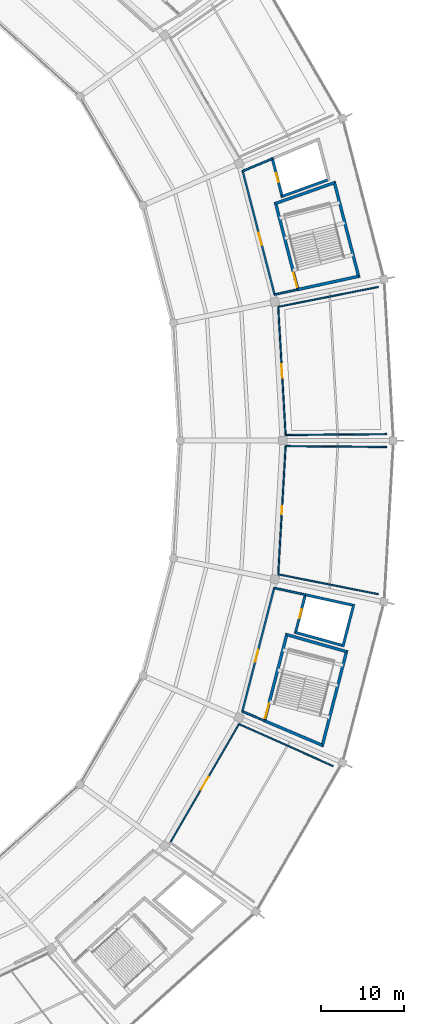
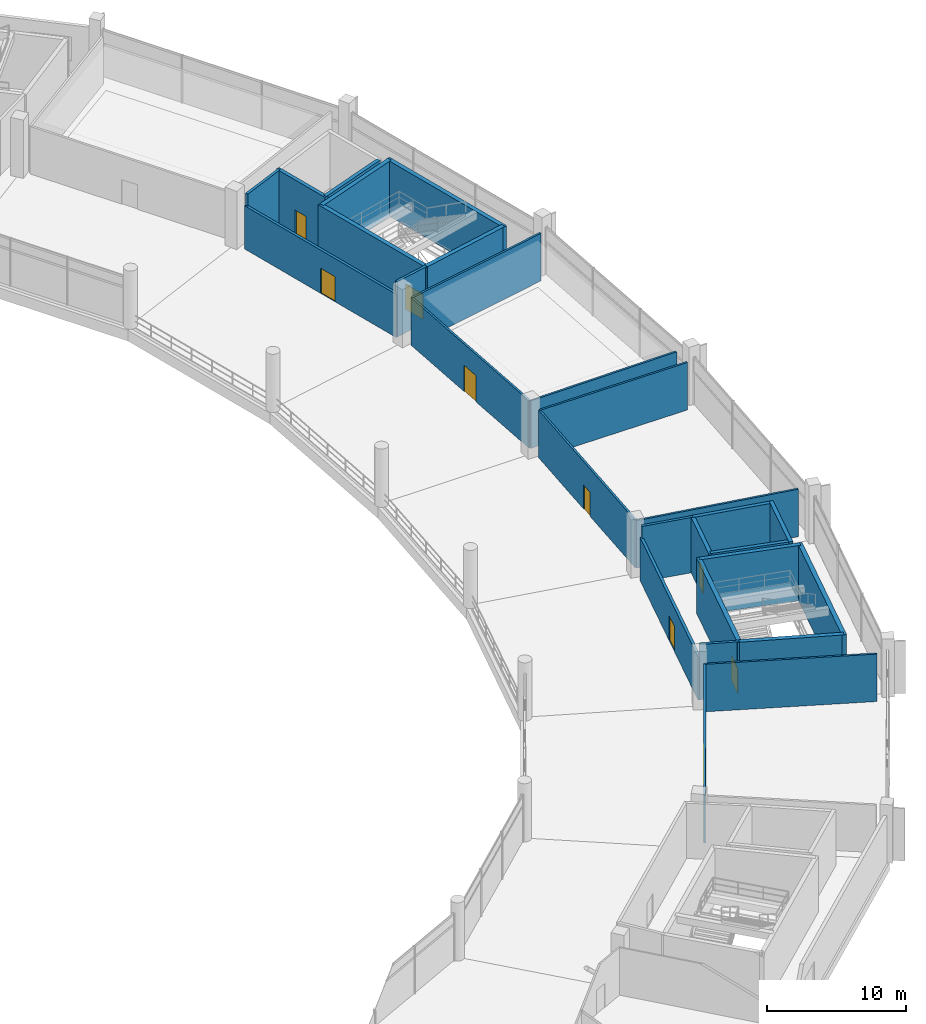
# One storey, part 148 of 184: 28 walls, 9 doors, 9 openings.
"""IFC4 building model written with IfcOpenShell, lengths in metres."""

from ifc_helpers import new_model, si_unit, direction, frame, frame_2d, origin, place, context, subcontext, project, spatial, rectangle, extrude, material, layer, layer_set, type_object, element, fill, save


model = new_model("IFC4")

# Units and contexts
model_context = context("Model", 3, precision=1e-05, world=origin(), true_north=direction((0.0, 1.0)))
body_context = subcontext(model_context, "Body", "Model", "MODEL_VIEW")
ifc_project = project(units=[si_unit("LENGTHUNIT", "METRE"), si_unit("AREAUNIT", "SQUARE_METRE"), si_unit("VOLUMEUNIT", "CUBIC_METRE"), si_unit("PLANEANGLEUNIT", "RADIAN"), si_unit("MASSUNIT", "GRAM", prefix="KILO")], contexts=[model_context])

# Site, building, storey
site_placement = place(None, origin())
site = spatial("IfcSite", under=ifc_project, at=site_placement, CompositionType="ELEMENT")
building_placement = place(site_placement, origin())
building = spatial("IfcBuilding", under=site, at=building_placement, Name="Kazemori Nagisa Stadium", CompositionType="ELEMENT")
storey_placement = place(building_placement, frame((0.0, 0.0, 10.5400390625)))
storey = spatial("IfcBuildingStorey", under=building, at=storey_placement, Name="L02", CompositionType="ELEMENT", Elevation=10.5400390625)

# Wall, opening, door
ifc_material_1 = material(Name="Concrete C40/50 (Fc42)", Category="concrete")
ifc_layer_1 = layer(ifc_material_1, 0.35009765625, Name="Concrete C40/50 (Fc42)", Category="concrete")
ifc_layer_set_1 = layer_set([ifc_layer_1], Name="Concrete C40/50 (Fc42)")
wall_type_1 = type_object("IfcWallType", Name="Wall_W-CORE-350", PredefinedType="SHEAR", material=ifc_layer_set_1)
wall_1_placement = place(storey_placement, frame((206.5625, 119.996337890625, 0.0), z_axis=(0.0, 0.0, 1.0), x_axis=(-0.249959564539, 0.968256276042, 0.0)))
wall_1 = element("IfcWall", 1, at=wall_1_placement, inside=storey, type_object=wall_type_1, Name="Core stair front shear wall ST07 L02", PredefinedType="SHEAR", context=body_context, shape_type="SweptSolid", body=[
    extrude(rectangle(XDim=11.046630859375, YDim=0.35009765625, at=frame_2d((5.5234375, 0.0))), origin(), (0.0, 0.0, 1.0), 4.83984375),
])
opening_1_placement = place(wall_1_placement, frame((0.47509765625, 0.0, 0.0)))
opening_1 = element("IfcOpeningElement", 2, at=opening_1_placement, cuts=wall_1, Name="Opening D-ST-1800", PredefinedType="OPENING", context=body_context, shape_type="SweptSolid", body=[
    extrude(rectangle(XDim=1.800048828125, YDim=2.199951171875, at=frame_2d((0.89990234375, 1.10009765625))), frame((0.0, 0.18505859375, 0.0), z_axis=(0.0, -1.0, 0.0), x_axis=(1.0, 0.0, 0.0)), (0.0, 0.0, 1.0), 0.3701171875),
])
ifc_material_2 = material(Name="Galvanised steel sheet", Category="steel")
door_type_1 = type_object("IfcDoorType", Name="Door_D-ST-1800", OperationType="NOTDEFINED", PredefinedType="DOOR", material=ifc_material_2)
door_1_placement = place(opening_1_placement, frame((1.800048828125, 0.0, 0.0), z_axis=(0.0, 0.0, 1.0), x_axis=(-1.0, 0.0, 0.0)))
door_1 = element("IfcDoor", 3, at=door_1_placement, inside=storey, type_object=door_type_1, Name="Exit stair fire door ST07-L02", OperationType="SINGLE_SWING_RIGHT", OverallHeight=2.199951171875, OverallWidth=1.800048828125, PredefinedType="DOOR", context=body_context, shape_type="SweptSolid", body=[
    extrude(rectangle(XDim=1.800048828125, YDim=2.199951171875, at=frame_2d((0.89990234375, 1.10009765625))), frame((0.0, 0.02490234375, 0.0), z_axis=(0.0, -1.0, 0.0), x_axis=(1.0, 0.0, 0.0)), (0.0, 0.0, 1.0), 0.050048828125),
])
fill(opening_1, door_1)

# Walls
wall_2_placement = place(storey_placement, frame((213.86572265625, 121.5849609375, 0.0), z_axis=(0.0, 0.0, 1.0), x_axis=(-0.249969221583, 0.968253782983, 0.0)))
element("IfcWall", 4, at=wall_2_placement, inside=storey, type_object=wall_type_1, Name="Core stair rear shear wall ST07 L02", PredefinedType="SHEAR", context=body_context, shape_type="SweptSolid", body=[
    extrude(rectangle(XDim=11.98193359375, YDim=0.35009765625, at=frame_2d((5.990966796875, 0.0))), origin(), (0.0, 0.0, 1.0), 4.83984375),
])
wall_3_placement = place(storey_placement, frame((206.518798828125, 120.165771484375, 0.0), z_axis=(0.0, 0.0, 1.0), x_axis=(0.977149528138, 0.2125530514, 0.0)))
element("IfcWall", 5, at=wall_3_placement, inside=storey, type_object=wall_type_1, Name="Core stair left shear wall ST07 L02", PredefinedType="SHEAR", context=body_context, shape_type="SweptSolid", body=[
    extrude(rectangle(XDim=7.47412109375, YDim=0.35009765625, at=frame_2d((3.737060546875, 0.0))), origin(), (0.0, 0.0, 1.0), 4.83984375),
])
wall_4_placement = place(storey_placement, frame((203.844970703125, 130.52294921875, 0.0), z_axis=(0.0, 0.0, 1.0), x_axis=(0.943032412173, 0.332700871042, 0.0)))
element("IfcWall", 6, at=wall_4_placement, inside=storey, type_object=wall_type_1, Name="Core stair right shear wall ST07 L02", PredefinedType="SHEAR", context=body_context, shape_type="SweptSolid", body=[
    extrude(rectangle(XDim=7.49658203125, YDim=0.35009765625, at=frame_2d((3.748291015625, 0.0))), origin(), (0.0, 0.0, 1.0), 4.83984375),
])

# Wall, opening, door
wall_5_placement = place(storey_placement, frame((202.46435546875, 68.129150390625, 0.0), z_axis=(0.0, 0.0, 1.0), x_axis=(0.249959564539, 0.968256276042, 0.0)))
wall_5 = element("IfcWall", 7, at=wall_5_placement, inside=storey, type_object=wall_type_1, Name="Core stair front shear wall ST10 L02", PredefinedType="SHEAR", context=body_context, shape_type="SweptSolid", body=[
    extrude(rectangle(XDim=11.046630859375, YDim=0.35009765625, at=frame_2d((5.5234375, 0.0))), origin(), (0.0, 0.0, 1.0), 4.83984375),
])
opening_2_placement = place(wall_5_placement, frame((0.47509765625, 0.0, 0.0)))
opening_2 = element("IfcOpeningElement", 8, at=opening_2_placement, cuts=wall_5, Name="Opening D-ST-1800", PredefinedType="OPENING", context=body_context, shape_type="SweptSolid", body=[
    extrude(rectangle(XDim=1.800048828125, YDim=2.199951171875, at=frame_2d((0.89990234375, 1.10009765625))), frame((0.0, 0.18505859375, 0.0), z_axis=(0.0, -1.0, 0.0), x_axis=(1.0, 0.0, 0.0)), (0.0, 0.0, 1.0), 0.3701171875),
])
door_2_placement = place(opening_2_placement, frame((1.800048828125, 0.0, 0.0), z_axis=(0.0, 0.0, 1.0), x_axis=(-1.0, 0.0, 0.0)))
door_2 = element("IfcDoor", 9, at=door_2_placement, inside=storey, type_object=door_type_1, Name="Exit stair fire door ST10-L02", OperationType="SINGLE_SWING_LEFT", OverallHeight=2.199951171875, OverallWidth=1.800048828125, PredefinedType="DOOR", context=body_context, shape_type="SweptSolid", body=[
    extrude(rectangle(XDim=1.800048828125, YDim=2.199951171875, at=frame_2d((0.89990234375, 1.10009765625))), frame((0.0, 0.02490234375, 0.0), z_axis=(0.0, -1.0, 0.0), x_axis=(1.0, 0.0, 0.0)), (0.0, 0.0, 1.0), 0.050048828125),
])
fill(opening_2, door_2)

# Walls
wall_6_placement = place(storey_placement, frame((209.4169921875, 65.18212890625, 0.0), z_axis=(0.0, 0.0, 1.0), x_axis=(0.249969221583, 0.968253782983, 0.0)))
element("IfcWall", 10, at=wall_6_placement, inside=storey, type_object=wall_type_1, Name="Core stair rear shear wall ST10 L02", PredefinedType="SHEAR", context=body_context, shape_type="SweptSolid", body=[
    extrude(rectangle(XDim=11.98193359375, YDim=0.35009765625, at=frame_2d((5.990966796875, 0.0))), origin(), (0.0, 0.0, 1.0), 4.83984375),
])
wall_7_placement = place(storey_placement, frame((202.508056640625, 68.298583984375, 0.0), z_axis=(0.0, 0.0, 1.0), x_axis=(0.920704667209, -0.390260061728, 0.0)))
element("IfcWall", 11, at=wall_7_placement, inside=storey, type_object=wall_type_1, Name="Core stair left shear wall ST10 L02", PredefinedType="SHEAR", context=body_context, shape_type="SweptSolid", body=[
    extrude(rectangle(XDim=7.551513671875, YDim=0.35009765625, at=frame_2d((3.77587890625, 0.0))), origin(), (0.0, 0.0, 1.0), 4.83984375),
])
wall_8_placement = place(storey_placement, frame((205.181884765625, 78.655517578125, 0.0), z_axis=(0.0, 0.0, 1.0), x_axis=(0.961945802461, -0.273240321195, 0.0)))
element("IfcWall", 12, at=wall_8_placement, inside=storey, type_object=wall_type_1, Name="Core stair right shear wall ST10 L02", PredefinedType="SHEAR", context=body_context, shape_type="SweptSolid", body=[
    extrude(rectangle(XDim=7.470458984375, YDim=0.35009765625, at=frame_2d((3.7353515625, 0.0))), origin(), (0.0, 0.0, 1.0), 4.83984375),
])

# Wall, opening, door
ifc_material_3 = material(Name="Concrete C36/45 (Fc36)", Category="concrete")
ifc_layer_2 = layer(ifc_material_3, 0.219970703125, Name="Concrete C36/45 (Fc36)", Category="concrete")
ifc_layer_set_2 = layer_set([ifc_layer_2], Name="Concrete C36/45 (Fc36)")
wall_type_2 = type_object("IfcWallType", Name="Wall_W-LOBBY-220", PredefinedType="SOLIDWALL", material=ifc_layer_set_2)
wall_9_placement = place(storey_placement, frame((203.7373046875, 119.448486328125, 0.0), z_axis=(0.0, 0.0, 1.0), x_axis=(-0.249963472505, 0.968255267176, 0.0)))
wall_9 = element("IfcWall", 13, at=wall_9_placement, inside=storey, type_object=wall_type_2, Name="Core lobby fire wall ST07 L02", PredefinedType="SOLIDWALL", context=body_context, shape_type="SweptSolid", body=[
    extrude(rectangle(XDim=15.552978515625, YDim=0.219970703125, at=frame_2d((7.7763671875, 0.0))), origin(), (0.0, 0.0, 1.0), 3.787841796875),
])
opening_3_placement = place(wall_9_placement, frame((6.260009765625, 0.0, 0.0)))
opening_3 = element("IfcOpeningElement", 14, at=opening_3_placement, cuts=wall_9, Name="Opening D-FFL-1500", PredefinedType="OPENING", context=body_context, shape_type="SweptSolid", body=[
    extrude(rectangle(XDim=1.5, YDim=2.199951171875, at=frame_2d((0.75, 1.10009765625))), frame((0.0, 0.119873046875, 0.0), z_axis=(0.0, -1.0, 0.0), x_axis=(1.0, 0.0, 0.0)), (0.0, 0.0, 1.0), 0.239990234375),
])
door_type_2 = type_object("IfcDoorType", Name="Door_D-FFL-1500", OperationType="NOTDEFINED", PredefinedType="DOOR", material=ifc_material_2)
door_3_placement = place(opening_3_placement, frame((1.5, 0.0, 0.0), z_axis=(0.0, 0.0, 1.0), x_axis=(-1.0, 0.0, 0.0)))
door_3 = element("IfcDoor", 15, at=door_3_placement, inside=storey, type_object=door_type_2, Name="Protected lobby fire door ST07-L02", OperationType="DOUBLE_DOOR_SINGLE_SWING", OverallHeight=2.199951171875, OverallWidth=1.5, PredefinedType="DOOR", context=body_context, shape_type="SweptSolid", body=[
    extrude(rectangle(XDim=1.5, YDim=2.199951171875, at=frame_2d((0.75, 1.10009765625))), frame((0.0, 0.02490234375, 0.0), z_axis=(0.0, -1.0, 0.0), x_axis=(1.0, 0.0, 0.0)), (0.0, 0.0, 1.0), 0.050048828125),
])
fill(opening_3, door_3)

# Walls
wall_10_placement = place(storey_placement, frame((203.7099609375, 119.554931640625, 0.0), z_axis=(0.0, 0.0, 1.0), x_axis=(0.977160263607, 0.212503692268, 0.0)))
element("IfcWall", 16, at=wall_10_placement, inside=storey, type_object=wall_type_2, Name="Core lobby left wall ST07 L02", PredefinedType="SOLIDWALL", context=body_context, shape_type="SweptSolid", body=[
    extrude(rectangle(XDim=2.87451171875, YDim=0.219970703125, at=frame_2d((1.437255859375, 0.0))), origin(), (0.0, 0.0, 1.0), 4.83984375),
])
wall_11_placement = place(storey_placement, frame((199.877197265625, 134.401123046875, 0.0), z_axis=(0.0, 0.0, 1.0), x_axis=(0.921486922561, 0.388409386535, 0.0)))
element("IfcWall", 17, at=wall_11_placement, inside=storey, type_object=wall_type_2, Name="Core lobby right wall ST07 L02", PredefinedType="SOLIDWALL", context=body_context, shape_type="SweptSolid", body=[
    extrude(rectangle(XDim=3.871337890625, YDim=0.219970703125, at=frame_2d((1.935546875, 0.0))), origin(), (0.0, 0.0, 1.0), 4.83984375),
])

# Wall, opening, door
wall_12_placement = place(storey_placement, frame((199.806640625, 69.325439453125, 0.0), z_axis=(0.0, 0.0, 1.0), x_axis=(0.249963472505, 0.968255267176, 0.0)))
wall_12 = element("IfcWall", 18, at=wall_12_placement, inside=storey, type_object=wall_type_2, Name="Core lobby fire wall ST10 L02", PredefinedType="SOLIDWALL", context=body_context, shape_type="SweptSolid", body=[
    extrude(rectangle(XDim=15.552978515625, YDim=0.219970703125, at=frame_2d((7.7763671875, 0.0))), origin(), (0.0, 0.0, 1.0), 3.787841796875),
])
opening_4_placement = place(wall_12_placement, frame((6.260009765625, 0.0, 0.0)))
opening_4 = element("IfcOpeningElement", 19, at=opening_4_placement, cuts=wall_12, Name="Opening D-FFL-1500", PredefinedType="OPENING", context=body_context, shape_type="SweptSolid", body=[
    extrude(rectangle(XDim=1.5, YDim=2.199951171875, at=frame_2d((0.75, 1.10009765625))), frame((0.0, 0.119873046875, 0.0), z_axis=(0.0, -1.0, 0.0), x_axis=(1.0, 0.0, 0.0)), (0.0, 0.0, 1.0), 0.239990234375),
])
door_4_placement = place(opening_4_placement, frame((1.5, 0.0, 0.0), z_axis=(0.0, 0.0, 1.0), x_axis=(-1.0, 0.0, 0.0)))
door_4 = element("IfcDoor", 20, at=door_4_placement, inside=storey, type_object=door_type_2, Name="Protected lobby fire door ST10-L02", OperationType="DOUBLE_DOOR_SINGLE_SWING", OverallHeight=2.199951171875, OverallWidth=1.5, PredefinedType="DOOR", context=body_context, shape_type="SweptSolid", body=[
    extrude(rectangle(XDim=1.5, YDim=2.199951171875, at=frame_2d((0.75, 1.10009765625))), frame((0.0, 0.02490234375, 0.0), z_axis=(0.0, -1.0, 0.0), x_axis=(1.0, 0.0, 0.0)), (0.0, 0.0, 1.0), 0.050048828125),
])
fill(opening_4, door_4)

# Walls
wall_13_placement = place(storey_placement, frame((199.834228515625, 69.431884765625, 0.0), z_axis=(0.0, 0.0, 1.0), x_axis=(0.920711790761, -0.390243255361, 0.0)))
element("IfcWall", 21, at=wall_13_placement, inside=storey, type_object=wall_type_2, Name="Core lobby left wall ST10 L02", PredefinedType="SOLIDWALL", context=body_context, shape_type="SweptSolid", body=[
    extrude(rectangle(XDim=2.904052734375, YDim=0.219970703125, at=frame_2d((1.4521484375, 0.0))), origin(), (0.0, 0.0, 1.0), 4.83984375),
])
wall_14_placement = place(storey_placement, frame((203.666748046875, 84.2783203125, 0.0), z_axis=(0.0, 0.0, 1.0), x_axis=(0.976714725209, -0.214542176645, 0.0)))
element("IfcWall", 22, at=wall_14_placement, inside=storey, type_object=wall_type_2, Name="Core lobby right wall ST10 L02", PredefinedType="SOLIDWALL", context=body_context, shape_type="SweptSolid", body=[
    extrude(rectangle(XDim=3.832763671875, YDim=0.219970703125, at=frame_2d((1.91650390625, 0.0))), origin(), (0.0, 0.0, 1.0), 4.83984375),
])

# Wall, opening, door
ifc_material_4 = material(Name="Gypsum plasterboard", Category="gypsum")
ifc_layer_3 = layer(ifc_material_4, 0.1650390625, Name="Gypsum plasterboard", Category="gypsum")
ifc_layer_set_3 = layer_set([ifc_layer_3], Name="Gypsum plasterboard")
wall_type_3 = type_object("IfcWallType", Name="Wall_W-PART-165", PredefinedType="PARTITIONING", material=ifc_layer_set_3)
wall_15_placement = place(storey_placement, frame((205.041259765625, 102.67041015625, 0.0), z_axis=(0.0, 0.0, 1.0), x_axis=(-0.057603503798, 0.998339539611, 0.0)))
wall_15 = element("IfcWall", 23, at=wall_15_placement, inside=storey, type_object=wall_type_3, Name="Room corridor partition L02-B01", PredefinedType="PARTITIONING", context=body_context, shape_type="SweptSolid", body=[
    extrude(rectangle(XDim=15.4443359375, YDim=0.1650390625, at=frame_2d((7.72216796875, 0.0))), origin(), (0.0, 0.0, 1.0), 4.159912109375),
])
opening_5_placement = place(wall_15_placement, frame((6.922119140625, 0.0, 0.0)))
opening_5 = element("IfcOpeningElement", 24, at=opening_5_placement, cuts=wall_15, Name="Opening D-LNG-1600", PredefinedType="OPENING", context=body_context, shape_type="SweptSolid", body=[
    extrude(rectangle(XDim=1.60009765625, YDim=2.300048828125, at=frame_2d((0.800048828125, 1.14990234375))), frame((0.0, 0.092529296875, 0.0), z_axis=(0.0, -1.0, 0.0), x_axis=(1.0, 0.0, 0.0)), (0.0, 0.0, 1.0), 0.18505859375),
])
ifc_material_5 = material(Name="Anodised aluminium 6063-T5", Category="aluminium")
door_type_3 = type_object("IfcDoorType", Name="Door_D-LNG-1600", OperationType="NOTDEFINED", PredefinedType="DOOR", material=ifc_material_5)
door_5_placement = place(opening_5_placement, origin())
door_5 = element("IfcDoor", 25, at=door_5_placement, inside=storey, type_object=door_type_3, Name="Room entrance door D-LNG-1600 L02-B01", OperationType="DOUBLE_DOOR_SINGLE_SWING", OverallHeight=2.300048828125, OverallWidth=1.60009765625, PredefinedType="DOOR", context=body_context, shape_type="SweptSolid", body=[
    extrude(rectangle(XDim=1.60009765625, YDim=2.300048828125, at=frame_2d((0.800048828125, 1.14990234375))), frame((0.0, 0.02490234375, 0.0), z_axis=(0.0, -1.0, 0.0), x_axis=(1.0, 0.0, 0.0)), (0.0, 0.0, 1.0), 0.050048828125),
])
fill(opening_5, door_5)

# Walls
wall_16_placement = place(storey_placement, frame((205.041259765625, 102.67041015625, 0.0), z_axis=(0.0, 0.0, 1.0), x_axis=(0.999966583768, 0.008175044183, 0.0)))
element("IfcWall", 26, at=wall_16_placement, inside=storey, type_object=wall_type_3, Name="Room radial partition L02-B01-L", PredefinedType="PARTITIONING", context=body_context, shape_type="SweptSolid", body=[
    extrude(rectangle(XDim=12.15478515625, YDim=0.1650390625, at=frame_2d((6.077392578125, 0.0))), origin(), (0.0, 0.0, 1.0), 4.159912109375),
])
wall_17_placement = place(storey_placement, frame((204.151611328125, 118.089111328125, 0.0), z_axis=(0.0, 0.0, 1.0), x_axis=(0.980904167784, 0.194491680088, 0.0)))
element("IfcWall", 27, at=wall_17_placement, inside=storey, type_object=wall_type_3, Name="Room radial partition L02-B01-R", PredefinedType="PARTITIONING", context=body_context, shape_type="SweptSolid", body=[
    extrude(rectangle(XDim=12.256591796875, YDim=0.1650390625, at=frame_2d((6.12841796875, 0.0))), origin(), (0.0, 0.0, 1.0), 4.159912109375),
])

# Wall, opening, door
wall_18_placement = place(storey_placement, frame((191.178955078125, 53.658447265625, 0.0), z_axis=(0.0, 0.0, 1.0), x_axis=(0.501617777052, 0.865089362867, 0.0)))
wall_18 = element("IfcWall", 28, at=wall_18_placement, inside=storey, type_object=wall_type_3, Name="Room corridor partition L02-B26", PredefinedType="PARTITIONING", context=body_context, shape_type="SweptSolid", body=[
    extrude(rectangle(XDim=16.4638671875, YDim=0.1650390625, at=frame_2d((8.23193359375, 0.0))), origin(), (0.0, 0.0, 1.0), 4.159912109375),
])
opening_6_placement = place(wall_18_placement, frame((7.35693359375, 0.0, 0.0)))
opening_6 = element("IfcOpeningElement", 29, at=opening_6_placement, cuts=wall_18, Name="Opening D-DIN-1750", PredefinedType="OPENING", context=body_context, shape_type="SweptSolid", body=[
    extrude(rectangle(XDim=1.75, YDim=2.300048828125, at=frame_2d((0.875, 1.14990234375))), frame((0.0, 0.092529296875, 0.0), z_axis=(0.0, -1.0, 0.0), x_axis=(1.0, 0.0, 0.0)), (0.0, 0.0, 1.0), 0.18505859375),
])
door_type_4 = type_object("IfcDoorType", Name="Door_D-DIN-1750", OperationType="NOTDEFINED", PredefinedType="DOOR", material=ifc_material_5)
door_6_placement = place(opening_6_placement, origin())
door_6 = element("IfcDoor", 30, at=door_6_placement, inside=storey, type_object=door_type_4, Name="Room entrance door D-DIN-1750 L02-B26", OperationType="DOUBLE_DOOR_SINGLE_SWING", OverallHeight=2.300048828125, OverallWidth=1.75, PredefinedType="DOOR", context=body_context, shape_type="SweptSolid", body=[
    extrude(rectangle(XDim=1.75, YDim=2.300048828125, at=frame_2d((0.875, 1.14990234375))), frame((0.0, 0.02490234375, 0.0), z_axis=(0.0, -1.0, 0.0), x_axis=(1.0, 0.0, 0.0)), (0.0, 0.0, 1.0), 0.050048828125),
])
fill(opening_6, door_6)

# Wall
wall_19_placement = place(storey_placement, frame((199.4375, 67.901123046875, 0.0), z_axis=(0.0, 0.0, 1.0), x_axis=(0.913245562849, -0.407409550621, 0.0)))
element("IfcWall", 31, at=wall_19_placement, inside=storey, type_object=wall_type_3, Name="Room radial partition L02-B26-R", PredefinedType="PARTITIONING", context=body_context, shape_type="SweptSolid", body=[
    extrude(rectangle(XDim=12.399658203125, YDim=0.1650390625, at=frame_2d((6.19970703125, 0.0))), origin(), (0.0, 0.0, 1.0), 4.159912109375),
])

# Wall, opening, door
wall_20_placement = place(storey_placement, frame((204.151611328125, 85.910888671875, 0.0), z_axis=(0.0, 0.0, 1.0), x_axis=(0.057603503798, 0.998339539611, 0.0)))
wall_20 = element("IfcWall", 32, at=wall_20_placement, inside=storey, type_object=wall_type_3, Name="Room corridor partition L02-B28", PredefinedType="PARTITIONING", context=body_context, shape_type="SweptSolid", body=[
    extrude(rectangle(XDim=15.4443359375, YDim=0.1650390625, at=frame_2d((7.72216796875, 0.0))), origin(), (0.0, 0.0, 1.0), 4.159912109375),
])
opening_7_placement = place(wall_20_placement, frame((7.2119140625, 0.0, 0.0)))
opening_7 = element("IfcOpeningElement", 33, at=opening_7_placement, cuts=wall_20, Name="Opening D-STR-1020", PredefinedType="OPENING", context=body_context, shape_type="SweptSolid", body=[
    extrude(rectangle(XDim=1.02001953125, YDim=2.10009765625, at=frame_2d((0.510009765625, 1.050048828125))), frame((0.0, 0.092529296875, 0.0), z_axis=(0.0, -1.0, 0.0), x_axis=(1.0, 0.0, 0.0)), (0.0, 0.0, 1.0), 0.18505859375),
])
ifc_material_6 = material(Name="Powder-coated steel sheet", Category="steel")
door_type_5 = type_object("IfcDoorType", Name="Door_D-STR-1020", OperationType="NOTDEFINED", PredefinedType="DOOR", material=ifc_material_6)
door_7_placement = place(opening_7_placement, origin())
door_7 = element("IfcDoor", 34, at=door_7_placement, inside=storey, type_object=door_type_5, Name="Room entrance door D-STR-1020 L02-B28", OperationType="SINGLE_SWING_RIGHT", OverallHeight=2.10009765625, OverallWidth=1.02001953125, PredefinedType="DOOR", context=body_context, shape_type="SweptSolid", body=[
    extrude(rectangle(XDim=1.02001953125, YDim=2.10009765625, at=frame_2d((0.510009765625, 1.050048828125))), frame((0.0, 0.02490234375, 0.0), z_axis=(0.0, -1.0, 0.0), x_axis=(1.0, 0.0, 0.0)), (0.0, 0.0, 1.0), 0.050048828125),
])
fill(opening_7, door_7)

# Walls
wall_21_placement = place(storey_placement, frame((204.151611328125, 85.910888671875, 0.0), z_axis=(0.0, 0.0, 1.0), x_axis=(0.980904167784, -0.194491680088, 0.0)))
element("IfcWall", 35, at=wall_21_placement, inside=storey, type_object=wall_type_3, Name="Room radial partition L02-B28-L", PredefinedType="PARTITIONING", context=body_context, shape_type="SweptSolid", body=[
    extrude(rectangle(XDim=12.256591796875, YDim=0.1650390625, at=frame_2d((6.12841796875, 0.0))), origin(), (0.0, 0.0, 1.0), 4.159912109375),
])
wall_22_placement = place(storey_placement, frame((205.041259765625, 101.32958984375, 0.0), z_axis=(0.0, 0.0, 1.0), x_axis=(0.999966583768, -0.008175044183, 0.0)))
element("IfcWall", 36, at=wall_22_placement, inside=storey, type_object=wall_type_3, Name="Room radial partition L02-B28-R", PredefinedType="PARTITIONING", context=body_context, shape_type="SweptSolid", body=[
    extrude(rectangle(XDim=12.15478515625, YDim=0.1650390625, at=frame_2d((6.077392578125, 0.0))), origin(), (0.0, 0.0, 1.0), 4.159912109375),
])

# Wall, opening, door
ifc_layer_4 = layer(ifc_material_1, 0.300048828125, Name="Concrete C40/50 (Fc42)", Category="concrete")
ifc_layer_set_4 = layer_set([ifc_layer_4], Name="Concrete C40/50 (Fc42)")
wall_type_4 = type_object("IfcWallType", Name="Wall_W-SHAFT-300", PredefinedType="SHEAR", material=ifc_layer_set_4)
wall_23_placement = place(storey_placement, frame((204.65380859375, 131.22119140625, 0.0), z_axis=(0.0, 0.0, 1.0), x_axis=(-0.250003862389, 0.968244839279, 0.0)))
wall_23 = element("IfcWall", 37, at=wall_23_placement, inside=storey, type_object=wall_type_4, Name="Lift shaft front wall LP5 L02", PredefinedType="SHEAR", context=body_context, shape_type="SweptSolid", body=[
    extrude(rectangle(XDim=4.9873046875, YDim=0.300048828125, at=frame_2d((2.49365234375, 0.0))), origin(), (0.0, 0.0, 1.0), 4.83984375),
])
opening_8_placement = place(wall_23_placement, frame((1.944091796875, 0.0, 0.0)))
opening_8 = element("IfcOpeningElement", 38, at=opening_8_placement, cuts=wall_23, Name="Opening LD-PAX", PredefinedType="OPENING", context=body_context, shape_type="SweptSolid", body=[
    extrude(rectangle(XDim=1.10009765625, YDim=2.199951171875, at=frame_2d((0.550048828125, 1.10009765625))), frame((0.0, 0.159912109375, 0.0), z_axis=(0.0, -1.0, 0.0), x_axis=(1.0, 0.0, 0.0)), (0.0, 0.0, 1.0), 0.320068359375),
])
ifc_material_7 = material(Name="Stainless steel SUS304", Category="steel")
door_type_6 = type_object("IfcDoorType", Name="Door_LD-PAX", OperationType="SLIDING_TO_RIGHT", PredefinedType="DOOR", material=ifc_material_7)
door_8_placement = place(opening_8_placement, origin())
door_8 = element("IfcDoor", 39, at=door_8_placement, inside=storey, type_object=door_type_6, Name="Lift landing door LP5-L02", OperationType="SLIDING_TO_RIGHT", OverallHeight=2.199951171875, OverallWidth=1.10009765625, PredefinedType="DOOR", context=body_context, shape_type="SweptSolid", body=[
    extrude(rectangle(XDim=1.10009765625, YDim=2.199951171875, at=frame_2d((0.550048828125, 1.10009765625))), frame((0.0, 0.02490234375, 0.0), z_axis=(0.0, -1.0, 0.0), x_axis=(1.0, 0.0, 0.0)), (0.0, 0.0, 1.0), 0.050048828125),
])
fill(opening_8, door_8)

# Wall
wall_24_placement = place(storey_placement, frame((204.6162109375, 131.366455078125, 0.0), z_axis=(0.0, 0.0, 1.0), x_axis=(0.940945340179, 0.338558513103, 0.0)))
element("IfcWall", 40, at=wall_24_placement, inside=storey, type_object=wall_type_4, Name="Lift shaft L wall LP5 L02", PredefinedType="SHEAR", context=body_context, shape_type="SweptSolid", body=[
    extrude(rectangle(XDim=5.962158203125, YDim=0.300048828125, at=frame_2d((2.98095703125, 0.0))), origin(), (0.0, 0.0, 1.0), 4.83984375),
])

# Wall, opening, door
wall_25_placement = place(storey_placement, frame((206.200927734375, 78.772216796875, 0.0), z_axis=(0.0, 0.0, 1.0), x_axis=(0.249946120621, 0.968259746549, 0.0)))
wall_25 = element("IfcWall", 41, at=wall_25_placement, inside=storey, type_object=wall_type_4, Name="Lift shaft front wall LP8 L02", PredefinedType="SHEAR", context=body_context, shape_type="SweptSolid", body=[
    extrude(rectangle(XDim=4.9873046875, YDim=0.300048828125, at=frame_2d((2.49365234375, 0.0))), origin(), (0.0, 0.0, 1.0), 4.83984375),
])
opening_9_placement = place(wall_25_placement, frame((1.944091796875, 0.0, 0.0)))
opening_9 = element("IfcOpeningElement", 42, at=opening_9_placement, cuts=wall_25, Name="Opening LD-PAX", PredefinedType="OPENING", context=body_context, shape_type="SweptSolid", body=[
    extrude(rectangle(XDim=1.10009765625, YDim=2.199951171875, at=frame_2d((0.550048828125, 1.10009765625))), frame((0.0, 0.159912109375, 0.0), z_axis=(0.0, -1.0, 0.0), x_axis=(1.0, 0.0, 0.0)), (0.0, 0.0, 1.0), 0.320068359375),
])
door_9_placement = place(opening_9_placement, origin())
door_9 = element("IfcDoor", 43, at=door_9_placement, inside=storey, type_object=door_type_6, Name="Lift landing door LP8-L02", OperationType="SLIDING_TO_RIGHT", OverallHeight=2.199951171875, OverallWidth=1.10009765625, PredefinedType="DOOR", context=body_context, shape_type="SweptSolid", body=[
    extrude(rectangle(XDim=1.10009765625, YDim=2.199951171875, at=frame_2d((0.550048828125, 1.10009765625))), frame((0.0, 0.02490234375, 0.0), z_axis=(0.0, -1.0, 0.0), x_axis=(1.0, 0.0, 0.0)), (0.0, 0.0, 1.0), 0.050048828125),
])
fill(opening_9, door_9)

# Walls
wall_26_placement = place(storey_placement, frame((211.922607421875, 77.185791015625, 0.0), z_axis=(0.0, 0.0, 1.0), x_axis=(0.249918349381, 0.968266914979, 0.0)))
element("IfcWall", 44, at=wall_26_placement, inside=storey, type_object=wall_type_4, Name="Lift shaft B wall LP8 L02", PredefinedType="SHEAR", context=body_context, shape_type="SweptSolid", body=[
    extrude(rectangle(XDim=5.309326171875, YDim=0.300048828125, at=frame_2d((2.65478515625, 0.0))), origin(), (0.0, 0.0, 1.0), 4.83984375),
])
wall_27_placement = place(storey_placement, frame((206.238525390625, 78.91748046875, 0.0), z_axis=(0.0, 0.0, 1.0), x_axis=(0.963642107639, -0.267196348002, 0.0)))
element("IfcWall", 45, at=wall_27_placement, inside=storey, type_object=wall_type_4, Name="Lift shaft L wall LP8 L02", PredefinedType="SHEAR", context=body_context, shape_type="SweptSolid", body=[
    extrude(rectangle(XDim=5.937255859375, YDim=0.300048828125, at=frame_2d((2.96875, 0.0))), origin(), (0.0, 0.0, 1.0), 4.83984375),
])
wall_28_placement = place(storey_placement, frame((207.41015625, 83.4560546875, 0.0), z_axis=(0.0, 0.0, 1.0), x_axis=(0.976707381947, -0.214575604509, 0.0)))
element("IfcWall", 46, at=wall_28_placement, inside=storey, type_object=wall_type_4, Name="Lift shaft R wall LP8 L02", PredefinedType="SHEAR", context=body_context, shape_type="SweptSolid", body=[
    extrude(rectangle(XDim=5.9404296875, YDim=0.300048828125, at=frame_2d((2.97021484375, 0.0))), origin(), (0.0, 0.0, 1.0), 4.83984375),
])

save(model, "model.ifc")
